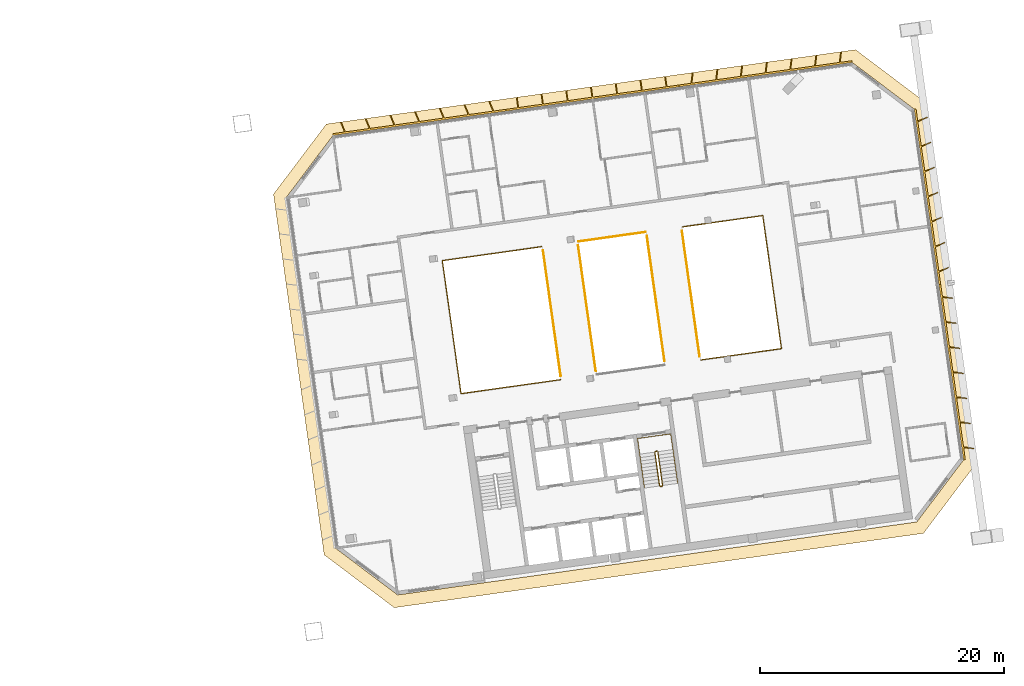
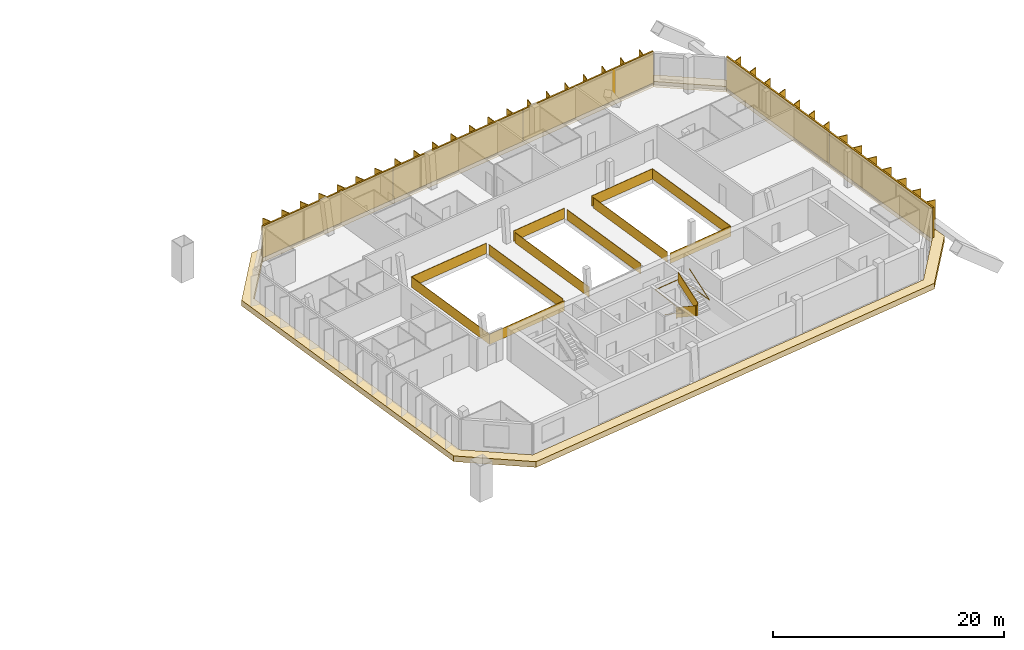
# One storey, part 26 of 26: 9 railings, 5 shading devices, 1 covering.
"""IFC4 building model written with IfcOpenShell, lengths in metres."""

import ifcopenshell
import ifcopenshell.guid

model = None  # the IFC model being written
_history = None  # IfcOwnerHistory: only IFC2X3 demands one
_inside = {}  # id of a spatial element -> (the spatial element, [elements in it])
_under = {}  # id of a project, library or spatial element -> (it, [spatial elements below it])
_declared = {}  # id of a project -> (the project, [libraries it declares])
_typed = {}  # id of a type object -> (the type object, [elements of that type])
_made_of = {}  # id of a material, layer set ... -> (it, [elements and type objects made of it])


def new_model(schema):
    """Start an empty IFC model of exactly this schema.

    Asked for "IFC4X3", IfcOpenShell would pick the latest addendum, in which some entities
    have other attributes; the version numbers below select the first issue.
    IFC2X3 requires an IfcOwnerHistory on every rooted entity: one is made here for all.
    """
    global model, _history
    if schema == "IFC4X3":
        model = ifcopenshell.file(schema_version=(4, 3, 0, 0))
    else:
        model = ifcopenshell.file(schema=schema)
    _inside.clear()
    _under.clear()
    _declared.clear()
    _typed.clear()
    _made_of.clear()
    _history = None
    if model.schema == "IFC2X3":
        org = make("IfcOrganization", Name="unknown")
        user = make(
            "IfcPersonAndOrganization",
            ThePerson=make("IfcPerson", FamilyName="unknown"),
            TheOrganization=org,
        )
        app = make(
            "IfcApplication",
            ApplicationDeveloper=org,
            Version="unknown",
            ApplicationFullName="unknown",
            ApplicationIdentifier="unknown",
        )
        _history = make(
            "IfcOwnerHistory",
            OwningUser=user,
            OwningApplication=app,
            ChangeAction="ADDED",
            CreationDate=0,
        )
    return model


def make(cls, **values):
    """One entity of the class cls with the attributes given. An attribute that is None is left unset."""
    return model.create_entity(
        cls, **{name: value for name, value in values.items() if value is not None}
    )


def rooted(cls, **values):
    """An entity with a GlobalId (a new one), such as an element, a storey or a relation."""
    return make(cls, GlobalId=ifcopenshell.guid.new(), OwnerHistory=_history, **values)


def si_unit(unit_type, name, prefix=None):
    """IfcSIUnit, for example si_unit("LENGTHUNIT", "METRE", prefix="MILLI")."""
    return make("IfcSIUnit", UnitType=unit_type, Prefix=prefix, Name=name)


def assignment(units):
    """IfcUnitAssignment: the units of a project."""
    return None if units is None else make("IfcUnitAssignment", Units=units)


def point(xyz):
    """IfcCartesianPoint."""
    return None if xyz is None else make("IfcCartesianPoint", Coordinates=xyz)


def direction(xyz):
    """IfcDirection."""
    return None if xyz is None else make("IfcDirection", DirectionRatios=xyz)


def frame(location, z_axis=None, x_axis=None):
    """IfcAxis2Placement3D, a coordinate frame: its origin and axes. An axis left out is left unset."""
    return make(
        "IfcAxis2Placement3D",
        Location=point(location),
        Axis=direction(z_axis),
        RefDirection=direction(x_axis),
    )


def frame_2d(location, x_axis=None):
    """IfcAxis2Placement2D, a coordinate frame in the plane: its origin and x axis."""
    return make(
        "IfcAxis2Placement2D", Location=point(location), RefDirection=direction(x_axis)
    )


def origin():
    """The frame at (0, 0, 0) with its axes left unset."""
    return frame((0.0, 0.0, 0.0))


def origin_2d():
    """The frame at (0, 0) in the plane with its x axis left unset."""
    return frame_2d((0.0, 0.0))


def place(relative_to, where):
    """IfcLocalPlacement: puts the frame where relative to a parent placement (None: the world)."""
    return make(
        "IfcLocalPlacement", PlacementRelTo=relative_to, RelativePlacement=where
    )


def context(
    kind, dimensions, precision=None, world=None, true_north=None, identifier=None
):
    """IfcGeometricRepresentationContext, for example the 3D "Model" context."""
    return make(
        "IfcGeometricRepresentationContext",
        ContextIdentifier=identifier,
        ContextType=kind,
        CoordinateSpaceDimension=dimensions,
        Precision=precision,
        WorldCoordinateSystem=world,
        TrueNorth=true_north,
    )


def subcontext(parent, identifier, kind, view, scale=None):
    """IfcGeometricRepresentationSubContext, for example "Body" below "Model"."""
    return make(
        "IfcGeometricRepresentationSubContext",
        ContextIdentifier=identifier,
        ContextType=kind,
        ParentContext=parent,
        TargetScale=scale,
        TargetView=view,
    )


def project(units=None, contexts=None):
    """IfcProject with its units and contexts."""
    return rooted(
        "IfcProject",
        Name="project",
        RepresentationContexts=contexts,
        UnitsInContext=assignment(units),
    )


def spatial(cls, under=None, at=None, **own):
    """A site, building, storey or space (cls), placed at a placement, below another one or the project."""
    s = rooted(cls, ObjectPlacement=at, **own)
    if under is not None:
        _under.setdefault(under.id(), (under, []))[1].append(s)
    return s


def polyline(points):
    """IfcPolyline through the points."""
    return make("IfcPolyline", Points=[point(p) for p in points])


def profile(cls, at=None, kind="AREA", **sizes):
    """A parametric profile (cls). Its sizes go by their IFC names, for example OverallWidth=200.0."""
    return make(cls, ProfileType=kind, Position=at, **sizes)


def rectangle(**sizes):
    """IfcRectangleProfileDef."""
    return profile("IfcRectangleProfileDef", **sizes)


def outline(outer, holes=None, kind="AREA"):
    """IfcArbitraryClosedProfileDef: a profile drawn as a closed curve; with holes, ...WithVoids."""
    if holes is None:
        return make("IfcArbitraryClosedProfileDef", ProfileType=kind, OuterCurve=outer)
    return make(
        "IfcArbitraryProfileDefWithVoids",
        ProfileType=kind,
        OuterCurve=outer,
        InnerCurves=holes,
    )


def extrude(swept, where, along, depth):
    """IfcExtrudedAreaSolid: the profile swept, set in the frame where, extruded along a direction by depth."""
    return make(
        "IfcExtrudedAreaSolid",
        SweptArea=swept,
        Position=where,
        ExtrudedDirection=direction(along),
        Depth=depth,
    )


def shape(context_of_items, identifier, shape_type, items):
    """IfcShapeRepresentation: the items that make up one representation, for example the "Body"."""
    return make(
        "IfcShapeRepresentation",
        ContextOfItems=context_of_items,
        RepresentationIdentifier=identifier,
        RepresentationType=shape_type,
        Items=items,
    )


def material(Name=None, Category=None):
    """IfcMaterial."""
    return make("IfcMaterial", Name=Name, Category=Category)


def layer(
    of_material, thickness, ventilated=None, Name=None, Category=None, Priority=None
):
    """IfcMaterialLayer: one layer of a wall or slab, of a material (None: an air gap)."""
    return make(
        "IfcMaterialLayer",
        Material=of_material,
        LayerThickness=thickness,
        IsVentilated=ventilated,
        Name=Name,
        Category=Category,
        Priority=Priority,
    )


def layer_set(layers, Name=None):
    """IfcMaterialLayerSet."""
    return make("IfcMaterialLayerSet", MaterialLayers=layers, LayerSetName=Name)


def made_of(thing, what):
    """Note that an element or type object is made of a material, layer set ...; save() writes the relation."""
    if what is not None:
        _made_of.setdefault(what.id(), (what, []))[1].append(thing)
    return thing


def type_object(cls, material=None, **own):
    """A type object (cls), such as IfcWallType, which elements share."""
    return made_of(rooted(cls, **own), material)


def element(
    cls,
    number,
    at=None,
    inside=None,
    cuts=None,
    type_object=None,
    material=None,
    context=None,
    identifier="Body",
    shape_type=None,
    held_by="IfcProductDefinitionShape",
    body=None,
    shapes=None,
    **own,
):
    """One element of the class cls, such as IfcWall. Its Tag is "e" and its number.

    at: its placement. inside: the storey or other place that contains it. cuts: it is an
    opening in that element (IfcRelVoidsElement). A single representation is given by context,
    identifier, shape_type and body (its items); several are given by shapes. held_by: the class
    of the entity that holds the representations. save() writes the other relations.
    """
    e = rooted(cls, Tag="e%d" % number, ObjectPlacement=at, **own)
    if body is not None:
        shapes = [shape(context, identifier, shape_type, body)]
    if shapes is not None:
        e.Representation = make(held_by, Representations=shapes)
    if inside is not None:
        _inside.setdefault(inside.id(), (inside, []))[1].append(e)
    if cuts is not None:
        rooted(
            "IfcRelVoidsElement", RelatingBuildingElement=cuts, RelatedOpeningElement=e
        )
    if type_object is not None:
        _typed.setdefault(type_object.id(), (type_object, []))[1].append(e)
    return made_of(e, material)


def aggregate(whole, parts):
    """IfcRelAggregates: a whole, such as a stair, and the parts it consists of."""
    return rooted("IfcRelAggregates", RelatingObject=whole, RelatedObjects=parts)


def save(model, path):
    """Write the relations noted so far, then the file.

    IfcRelAggregates (storeys below a building ...), IfcRelContainedInSpatialStructure (elements
    in a storey), IfcRelDefinesByType, IfcRelAssociatesMaterial and IfcRelDeclares: one each for
    every whole, place, type object, material and project.
    """
    for whole, parts in _under.values():
        aggregate(whole, parts)
    for where, things in _inside.values():
        rooted(
            "IfcRelContainedInSpatialStructure",
            RelatedElements=things,
            RelatingStructure=where,
        )
    for kind, things in _typed.values():
        rooted("IfcRelDefinesByType", RelatedObjects=things, RelatingType=kind)
    for what, things in _made_of.values():
        rooted("IfcRelAssociatesMaterial", RelatedObjects=things, RelatingMaterial=what)
    for by, libraries in _declared.values():
        rooted("IfcRelDeclares", RelatingContext=by, RelatedDefinitions=libraries)
    model.write(path)


model = new_model("IFC4")

# Units and contexts
model_context = context("Model", 3, precision=1e-05, world=origin(), true_north=direction((0.0, 1.0)))
body_context = subcontext(model_context, "Body", "Model", "MODEL_VIEW")
ifc_project = project(units=[si_unit("LENGTHUNIT", "METRE"), si_unit("AREAUNIT", "SQUARE_METRE"), si_unit("VOLUMEUNIT", "CUBIC_METRE"), si_unit("PLANEANGLEUNIT", "RADIAN"), si_unit("MASSUNIT", "GRAM", prefix="KILO")], contexts=[model_context])

# Site, building, storey
site_placement = place(None, origin())
site = spatial("IfcSite", under=ifc_project, at=site_placement, CompositionType="ELEMENT")
building_placement = place(site_placement, origin())
building = spatial("IfcBuilding", under=site, at=building_placement, Name="Mirante Cascada Hotel Towers", CompositionType="ELEMENT")
storey_placement = place(building_placement, frame((0.0, 0.0, 228.0)))
storey = spatial("IfcBuildingStorey", under=building, at=storey_placement, Name="L54", CompositionType="ELEMENT", Elevation=228.0)

# Railings
ifc_material_1 = material(Name="Toughened glass with stainless steel handrail", Category="steel")
railing_type_1 = type_object("IfcRailingType", Name="Atrium guard 1100 glass balustrade", PredefinedType="GUARDRAIL", material=ifc_material_1)
railing_1_placement = place(storey_placement, frame((42.0505, 7.3683, 0.0)))
element("IfcRailing", 1, at=railing_1_placement, inside=storey, type_object=railing_type_1, Name="GUARD 2-L54-1", PredefinedType="GUARDRAIL", context=body_context, shape_type="SweptSolid", body=[
    extrude(rectangle(XDim=0.048, YDim=0.048, at=origin_2d()), frame((0.0, 0.0, 1.076), z_axis=(-0.9902677, -0.1391758, 0.0), x_axis=(0.1391758, -0.9902677, 0.0)), (0.0, 0.0, 1.0), 8.2371),
    extrude(rectangle(XDim=0.02, YDim=1.052, at=origin_2d()), frame((0.0, 0.0, 0.526), z_axis=(-0.9902677, -0.1391758, 0.0), x_axis=(0.1391758, -0.9902677, 0.0)), (0.0, 0.0, 1.0), 8.2371),
    extrude(rectangle(XDim=0.048, YDim=0.048, at=origin_2d()), frame((-8.1569, -1.1464, 1.076), z_axis=(0.1391733, -0.990268, 0.0), x_axis=(0.990268, 0.1391733, 0.0)), (0.0, 0.0, 1.0), 11.0),
    extrude(rectangle(XDim=0.02, YDim=1.052, at=origin_2d()), frame((-8.1569, -1.1464, 0.526), z_axis=(0.1391733, -0.990268, 0.0), x_axis=(0.990268, 0.1391733, 0.0)), (0.0, 0.0, 1.0), 11.0),
    extrude(rectangle(XDim=0.048, YDim=0.048, at=origin_2d()), frame((-6.626, -12.0393, 1.076), z_axis=(0.9902694, 0.1391639, 0.0), x_axis=(-0.1391639, 0.9902694, 0.0)), (0.0, 0.0, 1.0), 8.2371),
    extrude(rectangle(XDim=0.02, YDim=1.052, at=origin_2d()), frame((-6.626, -12.0393, 0.526), z_axis=(0.9902694, 0.1391639, 0.0), x_axis=(-0.1391639, 0.9902694, 0.0)), (0.0, 0.0, 1.0), 8.2371),
])
railing_2_placement = place(storey_placement, frame((50.5546, 8.5634, 0.0)))
element("IfcRailing", 2, at=railing_2_placement, inside=storey, type_object=railing_type_1, Name="GUARD 2-L54-3", PredefinedType="GUARDRAIL", context=body_context, shape_type="SweptSolid", body=[
    extrude(rectangle(XDim=0.048, YDim=0.048, at=origin_2d()), frame((0.0, 0.0, 1.076), z_axis=(-0.9902694, -0.1391635, 0.0), x_axis=(0.1391635, -0.9902694, 0.0)), (0.0, 0.0, 1.0), 5.5877),
    extrude(rectangle(XDim=0.02, YDim=1.052, at=origin_2d()), frame((0.0, 0.0, 0.526), z_axis=(-0.9902694, -0.1391635, 0.0), x_axis=(0.1391635, -0.9902694, 0.0)), (0.0, 0.0, 1.0), 5.5877),
])
railing_3_placement = place(storey_placement, frame((55.0563, -1.912, 0.0)))
element("IfcRailing", 3, at=railing_3_placement, inside=storey, type_object=railing_type_1, Name="GUARD 2-L54-4", PredefinedType="GUARDRAIL", context=body_context, shape_type="SweptSolid", body=[
    extrude(rectangle(XDim=0.048, YDim=0.048, at=origin_2d()), frame((0.0, 0.0, 1.076), z_axis=(0.9902684, 0.1391706, 0.0), x_axis=(-0.1391706, 0.9902684, 0.0)), (0.0, 0.0, 1.0), 6.6753),
    extrude(rectangle(XDim=0.02, YDim=1.052, at=origin_2d()), frame((0.0, 0.0, 0.526), z_axis=(0.9902684, 0.1391706, 0.0), x_axis=(-0.1391706, 0.9902684, 0.0)), (0.0, 0.0, 1.0), 6.6753),
    extrude(rectangle(XDim=0.048, YDim=0.048, at=origin_2d()), frame((6.6103, 0.929, 1.076), z_axis=(-0.1391721, 0.9902682, 0.0), x_axis=(-0.9902682, -0.1391721, 0.0)), (0.0, 0.0, 1.0), 11.0001),
    extrude(rectangle(XDim=0.02, YDim=1.052, at=origin_2d()), frame((6.6103, 0.929, 0.526), z_axis=(-0.1391721, 0.9902682, 0.0), x_axis=(-0.9902682, -0.1391721, 0.0)), (0.0, 0.0, 1.0), 11.0001),
    extrude(rectangle(XDim=0.048, YDim=0.048, at=origin_2d()), frame((5.0794, 11.822, 1.076), z_axis=(-0.9902684, -0.1391706, 0.0), x_axis=(0.1391706, -0.9902684, 0.0)), (0.0, 0.0, 1.0), 6.6753),
    extrude(rectangle(XDim=0.02, YDim=1.052, at=origin_2d()), frame((5.0794, 11.822, 0.526), z_axis=(-0.9902684, -0.1391706, 0.0), x_axis=(0.1391706, -0.9902684, 0.0)), (0.0, 0.0, 1.0), 6.6753),
])
railing_4_placement = place(storey_placement, frame((43.5888, -3.2251, 0.0)))
element("IfcRailing", 4, at=railing_4_placement, inside=storey, type_object=railing_type_1, Name="GUARD 2-L54-5", PredefinedType="GUARDRAIL", context=body_context, shape_type="SweptSolid", body=[
    extrude(rectangle(XDim=0.048, YDim=0.048, at=origin_2d()), frame((0.0, 0.0, 1.076), z_axis=(-0.1391721, 0.9902682, 0.0), x_axis=(-0.9902682, -0.1391721, 0.0)), (0.0, 0.0, 1.0), 10.4087),
    extrude(rectangle(XDim=0.02, YDim=1.052, at=origin_2d()), frame((0.0, 0.0, 0.526), z_axis=(-0.1391721, 0.9902682, 0.0), x_axis=(-0.9902682, -0.1391721, 0.0)), (0.0, 0.0, 1.0), 10.4087),
])
railing_5_placement = place(storey_placement, frame((45.0139, 7.4862, 0.0)))
element("IfcRailing", 5, at=railing_5_placement, inside=storey, type_object=railing_type_1, Name="GUARD 2-L54-6", PredefinedType="GUARDRAIL", context=body_context, shape_type="SweptSolid", body=[
    extrude(rectangle(XDim=0.048, YDim=0.048, at=origin_2d()), frame((0.0, 0.0, 1.076), z_axis=(0.1391721, -0.9902682, 0.0), x_axis=(0.9902682, 0.1391721, 0.0)), (0.0, 0.0, 1.0), 10.4087),
    extrude(rectangle(XDim=0.02, YDim=1.052, at=origin_2d()), frame((0.0, 0.0, 0.526), z_axis=(0.1391721, -0.9902682, 0.0), x_axis=(0.9902682, 0.1391721, 0.0)), (0.0, 0.0, 1.0), 10.4087),
])
railing_6_placement = place(storey_placement, frame((52.0929, -2.0299, 0.0)))
element("IfcRailing", 6, at=railing_6_placement, inside=storey, type_object=railing_type_1, Name="GUARD 2-L54-7", PredefinedType="GUARDRAIL", context=body_context, shape_type="SweptSolid", body=[
    extrude(rectangle(XDim=0.048, YDim=0.048, at=origin_2d()), frame((0.0, 0.0, 1.076), z_axis=(-0.1391721, 0.9902682, 0.0), x_axis=(-0.9902682, -0.1391721, 0.0)), (0.0, 0.0, 1.0), 10.4087),
    extrude(rectangle(XDim=0.02, YDim=1.052, at=origin_2d()), frame((0.0, 0.0, 0.526), z_axis=(-0.1391721, 0.9902682, 0.0), x_axis=(-0.9902682, -0.1391721, 0.0)), (0.0, 0.0, 1.0), 10.4087),
])
railing_7_placement = place(storey_placement, frame((53.518, 8.6814, 0.0)))
element("IfcRailing", 7, at=railing_7_placement, inside=storey, type_object=railing_type_1, Name="GUARD 2-L54-8", PredefinedType="GUARDRAIL", context=body_context, shape_type="SweptSolid", body=[
    extrude(rectangle(XDim=0.048, YDim=0.048, at=origin_2d()), frame((0.0, 0.0, 1.076), z_axis=(0.1391721, -0.9902682, 0.0), x_axis=(0.9902682, 0.1391721, 0.0)), (0.0, 0.0, 1.0), 10.4087),
    extrude(rectangle(XDim=0.02, YDim=1.052, at=origin_2d()), frame((0.0, 0.0, 0.526), z_axis=(0.1391721, -0.9902682, 0.0), x_axis=(0.9902682, 0.1391721, 0.0)), (0.0, 0.0, 1.0), 10.4087),
])

# Covering
ifc_material_2 = material(Name="Precast concrete C40/50 white", Category="concrete")
ifc_layer = layer(ifc_material_2, 0.6)
ifc_layer_set = layer_set([ifc_layer], Name="Precast concrete SUNSHADE band 1000x600")
covering_type = type_object("IfcCoveringType", Name="Precast concrete SUNSHADE band 1000x600", PredefinedType="CLADDING", material=ifc_layer_set)
covering_placement = place(storey_placement, frame((0.0, 0.0, -0.45)))
element("IfcCovering", 8, at=covering_placement, inside=storey, type_object=covering_type, Name="Precast concrete SUNSHADE band T2 L54", PredefinedType="CLADDING", context=body_context, shape_type="SweptSolid", body=[
    extrude(outline(polyline([(20.0633, 11.6643), (24.3918, 17.4084), (67.7326, 23.4995), (73.4767, 19.171), (75.1534, 7.2405), (75.1308, 7.2272), (75.1019, 7.206), (75.0752, 7.1822), (75.0509, 7.1558), (75.0294, 7.1272), (75.0108, 7.0966), (74.9953, 7.0643), (74.983, 7.0306), (74.974, 6.9959), (74.9685, 6.9606), (74.9665, 6.9248), (74.9681, 6.889), (75.0739, 5.7349), (75.0789, 5.6994), (75.0874, 5.6646), (75.0993, 5.6308), (75.1143, 5.5984), (75.1326, 5.5675), (75.1537, 5.5386), (75.1776, 5.5119), (75.204, 5.4877), (75.2326, 5.4661), (75.2632, 5.4475), (75.2955, 5.432), (75.3291, 5.4197), (75.3638, 5.4108), (75.3992, 5.4053), (75.4114, 5.4046), (75.6932, 3.3993), (75.6817, 3.3953), (75.6492, 3.3803), (75.6183, 3.3621), (75.5893, 3.341), (75.5626, 3.3172), (75.5383, 3.2909), (75.5167, 3.2623), (75.498, 3.2317), (75.4824, 3.1995), (75.4701, 3.1659), (75.4611, 3.1312), (75.4555, 3.0958), (75.4535, 3.06), (75.4549, 3.0243), (75.4599, 2.9888), (75.6762, 1.8502), (75.6846, 1.8154), (75.6964, 1.7816), (75.7114, 1.7491), (75.7296, 1.7182), (75.7507, 1.6892), (75.7745, 1.6625), (75.8008, 1.6382), (75.8294, 1.6166), (75.86, 1.5979), (75.8922, 1.5823), (75.9258, 1.57), (75.9513, 1.5634), (77.628, -10.3671), (73.2995, -16.1112), (29.9587, -22.2024), (24.2146, -17.8739), (20.0633, 11.6643)]), holes=[polyline([(76.5801, -10.0961), (72.5441, 18.6217), (67.4616, 22.4516), (24.9412, 16.4758), (21.1112, 11.3933), (25.1473, -17.3245), (30.2297, -21.1544), (72.7501, -15.1786), (76.5801, -10.0961)])]), origin(), (0.0, 0.0, 1.0), 0.6),
])

# Railings
ifc_material_3 = material(Name="Painted steel", Category="steel")
railing_type_2 = type_object("IfcRailingType", Name="Stair guard 1100 steel balustrade", PredefinedType="GUARDRAIL", material=ifc_material_3)
railing_8_placement = place(storey_placement, frame((51.4864, -9.3815, 0.0)))
element("IfcRailing", 9, at=railing_8_placement, inside=storey, type_object=railing_type_2, Name="L54 ST2-B stair guard 1", PredefinedType="GUARDRAIL", context=body_context, shape_type="SweptSolid", body=[
    extrude(rectangle(XDim=0.048, YDim=0.048, at=origin_2d()), frame((0.0, 0.0, 1.076), z_axis=(-0.9902408, -0.1393672, 0.0), x_axis=(0.1393672, -0.9902408, 0.0)), (0.0, 0.0, 1.0), 0.15),
    extrude(rectangle(XDim=0.02, YDim=1.052, at=origin_2d()), frame((0.0, 0.0, 0.526), z_axis=(-0.9902408, -0.1393672, 0.0), x_axis=(0.1393672, -0.9902408, 0.0)), (0.0, 0.0, 1.0), 0.15),
    extrude(rectangle(XDim=0.048, YDim=0.048, at=origin_2d()), frame((-0.1485, -0.0209, 1.076), z_axis=(-0.6020331, -0.7984711, 0.0), x_axis=(0.7984711, -0.6020331, 0.0)), (0.0, 0.9253398, 0.3791387), 0.1866),
    extrude(rectangle(XDim=0.02, YDim=1.052, at=origin_2d()), frame((-0.1485, -0.0209, 0.526), z_axis=(-0.6020331, -0.7984711, 0.0), x_axis=(0.7984711, -0.6020331, 0.0)), (0.0, 0.9253398, 0.3791387), 0.1866),
    extrude(rectangle(XDim=0.048, YDim=0.048, at=origin_2d()), frame((-0.1911, -0.0774, 1.2487), z_axis=(0.139181, -0.990267, 0.0), x_axis=(0.990267, 0.139181, 0.0)), (0.0, 0.5250347, 0.8510808), 3.2899),
    extrude(rectangle(XDim=0.02, YDim=1.052, at=origin_2d()), frame((-0.1911, -0.0774, 0.6987), z_axis=(0.139181, -0.990267, 0.0), x_axis=(0.990267, 0.139181, 0.0)), (0.0, 0.5250347, 0.8510808), 3.2899),
    extrude(rectangle(XDim=0.048, YDim=0.048, at=origin_2d()), frame((0.1986, -2.8501, 2.976), z_axis=(0.9944441, -0.1052656, 0.0), x_axis=(0.1052656, 0.9944441, 0.0)), (0.0, 0.0, 1.0), 0.2061),
    extrude(rectangle(XDim=0.02, YDim=1.052, at=origin_2d()), frame((0.1986, -2.8501, 2.426), z_axis=(0.9944441, -0.1052656, 0.0), x_axis=(0.1052656, 0.9944441, 0.0)), (0.0, 0.0, 1.0), 0.2061),
    extrude(rectangle(XDim=0.048, YDim=0.048, at=origin_2d()), frame((0.4036, -2.8718, 2.976), z_axis=(-0.9902408, -0.1393672, 0.0), x_axis=(0.1393672, -0.9902408, 0.0)), (0.0, 0.0, 1.0), 0.15),
    extrude(rectangle(XDim=0.02, YDim=1.052, at=origin_2d()), frame((0.4036, -2.8718, 2.426), z_axis=(-0.9902408, -0.1393672, 0.0), x_axis=(0.1393672, -0.9902408, 0.0)), (0.0, 0.0, 1.0), 0.15),
    extrude(rectangle(XDim=0.048, YDim=0.048, at=origin_2d()), frame((0.2551, -2.8927, 2.976), z_axis=(0.9268624, 0.3754011, 0.0), x_axis=(-0.3754011, 0.9268624, 0.0)), (0.0, 0.6421217, 0.7666028), 0.269),
    extrude(rectangle(XDim=0.02, YDim=1.052, at=origin_2d()), frame((0.2551, -2.8927, 2.426), z_axis=(0.9268624, 0.3754011, 0.0), x_axis=(-0.3754011, 0.9268624, 0.0)), (0.0, 0.6421217, 0.7666028), 0.269),
    extrude(rectangle(XDim=0.048, YDim=0.048, at=origin_2d()), frame((0.4462, -2.8153, 3.1487), z_axis=(-0.139181, 0.990267, 0.0), x_axis=(-0.990267, -0.139181, 0.0)), (0.0, 0.5250347, 0.8510808), 3.2899),
    extrude(rectangle(XDim=0.02, YDim=1.052, at=origin_2d()), frame((0.4462, -2.8153, 2.5987), z_axis=(-0.139181, 0.990267, 0.0), x_axis=(-0.990267, -0.139181, 0.0)), (0.0, 0.5250347, 0.8510808), 3.2899),
])
ifc_material_4 = material(Name="Painted steel", Category="steel")
railing_type_3 = type_object("IfcRailingType", Name="Stair handrail 900 steel tube", PredefinedType="HANDRAIL", material=ifc_material_4)
railing_9_placement = place(storey_placement, frame((50.0575, -9.6328, 0.1727)))
element("IfcRailing", 10, at=railing_9_placement, inside=storey, type_object=railing_type_3, Name="L54 ST2-B stair handrail 1", PredefinedType="HANDRAIL", context=body_context, shape_type="SweptSolid", body=[
    extrude(rectangle(XDim=0.048, YDim=0.048, at=origin_2d()), frame((0.0, 0.0, 0.876), z_axis=(0.139176, -0.9902677, 0.0), x_axis=(0.9902677, 0.139176, 0.0)), (0.0, 0.5250212, 0.8510891), 3.29),
    extrude(rectangle(XDim=0.048, YDim=0.048, at=origin_2d()), frame((0.3897, -2.7728, 2.6033), z_axis=(-0.1391707, 0.9902684, 0.0), x_axis=(-0.9902684, -0.1391707, 0.0)), (0.0, 0.0420846, 0.999114), 4.1036),
    extrude(rectangle(XDim=0.048, YDim=0.048, at=origin_2d()), frame((-0.1809, 1.2873, 2.776), z_axis=(0.9902641, 0.1392013, 0.0), x_axis=(-0.1392013, 0.9902641, 0.0)), (0.0, 0.0, 1.0), 2.75),
    extrude(rectangle(XDim=0.048, YDim=0.048, at=origin_2d()), frame((2.5423, 1.6701, 2.776), z_axis=(0.1391707, -0.9902684, 0.0), x_axis=(0.9902684, 0.1391707, 0.0)), (0.0, 0.0, 1.0), 4.1),
    extrude(rectangle(XDim=0.048, YDim=0.048, at=origin_2d()), frame((3.1129, -2.39, 2.776), z_axis=(-0.139181, 0.990267, 0.0), x_axis=(-0.990267, -0.139181, 0.0)), (0.0, 0.5250347, 0.8510808), 3.2899),
])

# Shading devices
ifc_material_5 = material(Name="White precast concrete C50/60 fin", Category="concrete")
shading_device_type = type_object("IfcShadingDeviceType", Name="Vertical fin set 4500x900", PredefinedType="USERDEFINED", material=ifc_material_5)
shading_device_1_placement = place(storey_placement, origin())
element("IfcShadingDevice", 11, at=shading_device_1_placement, inside=storey, type_object=shading_device_type, Name="FIN T2 L54 front 1", ObjectType="FIN", PredefinedType="USERDEFINED", context=body_context, shape_type="SweptSolid", body=[
    extrude(outline(polyline([(54.436, 21.5894), (54.3339, 20.7581), (56.2767, 21.0311), (56.3813, 21.8837), (56.4607, 21.8739), (56.3587, 21.0427), (58.3014, 21.3157), (58.4061, 22.1683), (58.4855, 22.1585), (58.3835, 21.3272), (60.3262, 21.6003), (60.4309, 22.4528), (60.5103, 22.4431), (60.4082, 21.6118), (62.351, 21.8848), (62.4557, 22.7374), (62.5351, 22.7276), (62.433, 21.8964), (64.3758, 22.1694), (64.4805, 23.022), (64.5599, 23.0122), (64.4578, 22.1809), (66.4006, 22.454), (66.5052, 23.3065), (66.5846, 23.2968), (66.4826, 22.4655), (67.4407, 22.6001), (67.4616, 22.4516), (53.2881, 20.4597), (53.2672, 20.6082), (54.2519, 20.7466), (54.3566, 21.5991), (54.436, 21.5894)])), origin(), (0.0, 0.0, 1.0), 3.35),
])
shading_device_2_placement = place(storey_placement, origin())
element("IfcShadingDevice", 12, at=shading_device_2_placement, inside=storey, type_object=shading_device_type, Name="FIN T2 L54 front 2", ObjectType="FIN", PredefinedType="USERDEFINED", context=body_context, shape_type="SweptSolid", body=[
    extrude(outline(polyline([(40.0275, 19.6058), (40.1458, 18.7641), (42.0913, 19.0375), (41.973, 19.8792), (42.0522, 19.8904), (42.1705, 19.0487), (44.1161, 19.3221), (43.9978, 20.1638), (44.077, 20.1749), (44.1953, 19.3332), (46.1409, 19.6067), (46.0226, 20.4484), (46.1018, 20.4595), (46.2201, 19.6178), (48.1657, 19.8912), (48.0474, 20.7329), (48.1266, 20.7441), (48.2449, 19.9023), (50.1904, 20.1758), (50.0721, 21.0175), (50.1514, 21.0286), (50.2697, 20.1869), (52.2152, 20.4603), (52.0969, 21.3021), (52.1761, 21.3132), (52.2944, 20.4715), (53.2672, 20.6082), (53.2881, 20.4597), (39.1146, 18.4677), (39.0938, 18.6162), (40.0665, 18.753), (39.9482, 19.5947), (40.0275, 19.6058)])), origin(), (0.0, 0.0, 1.0), 3.35),
])
shading_device_3_placement = place(storey_placement, origin())
element("IfcShadingDevice", 13, at=shading_device_3_placement, inside=storey, type_object=shading_device_type, Name="FIN T2 L54 front 3", ObjectType="FIN", PredefinedType="USERDEFINED", context=body_context, shape_type="SweptSolid", body=[
    extrude(outline(polyline([(25.6248, 17.5611), (25.9604, 16.7705), (27.9032, 17.0435), (27.5759, 17.8144), (27.6496, 17.8457), (27.9852, 17.055), (29.928, 17.3281), (29.6007, 18.099), (29.6744, 18.1303), (30.01, 17.3396), (31.9527, 17.6126), (31.6255, 18.3836), (31.6991, 18.4148), (32.0348, 17.6242), (33.9775, 17.8972), (33.6503, 18.6681), (33.7239, 18.6994), (34.0595, 17.9087), (36.0023, 18.1818), (35.6751, 18.9527), (35.7487, 18.984), (36.0843, 18.1933), (38.0271, 18.4663), (37.6998, 19.2373), (37.7735, 19.2685), (38.1091, 18.4779), (39.0938, 18.6162), (39.1146, 18.4677), (24.9412, 16.4758), (24.9203, 16.6243), (25.8784, 16.7589), (25.5512, 17.5299), (25.6248, 17.5611)])), origin(), (0.0, 0.0, 1.0), 3.35),
])
shading_device_4_placement = place(storey_placement, origin())
element("IfcShadingDevice", 14, at=shading_device_4_placement, inside=storey, type_object=shading_device_type, Name="FIN T2 L54 outer 1", ObjectType="FIN", PredefinedType="USERDEFINED", context=body_context, shape_type="SweptSolid", body=[
    extrude(outline(polyline([(77.4234, -9.2059), (76.5921, -9.1039), (76.7286, -10.0752), (76.5801, -10.0961), (74.5621, 4.2628), (74.7106, 4.2837), (74.8508, 3.2858), (75.7034, 3.1811), (75.6937, 3.1017), (74.8624, 3.2038), (75.1391, 1.2345), (75.9917, 1.1298), (75.9819, 1.0504), (75.1507, 1.1525), (75.4274, -0.8168), (76.28, -0.9214), (76.2702, -1.0009), (75.4389, -0.8988), (75.7157, -2.868), (76.5683, -2.9727), (76.5585, -3.0521), (75.7272, -2.9501), (76.004, -4.9193), (76.8565, -5.024), (76.8468, -5.1034), (76.0155, -5.0013), (76.2923, -6.9706), (77.1448, -7.0753), (77.1351, -7.1547), (76.3038, -7.0526), (76.5806, -9.0218), (77.4331, -9.1265), (77.4234, -9.2059)])), origin(), (0.0, 0.0, 1.0), 3.35),
])
shading_device_5_placement = place(storey_placement, origin())
element("IfcShadingDevice", 15, at=shading_device_5_placement, inside=storey, type_object=shading_device_type, Name="FIN T2 L54 outer 2", ObjectType="FIN", PredefinedType="USERDEFINED", context=body_context, shape_type="SweptSolid", body=[
    extrude(outline(polyline([(75.361, 5.6172), (74.5704, 5.2816), (74.7106, 4.2837), (74.5621, 4.2628), (72.5441, 18.6217), (72.6926, 18.6426), (72.8291, 17.6712), (73.6, 17.9984), (73.6313, 17.9248), (72.8406, 17.5892), (73.1174, 15.6199), (73.8883, 15.9472), (73.9196, 15.8735), (73.1289, 15.5379), (73.4057, 13.5687), (74.1766, 13.8959), (74.2079, 13.8223), (73.4172, 13.4866), (73.694, 11.5174), (74.4649, 11.8446), (74.4962, 11.771), (73.7055, 11.4354), (73.9823, 9.4661), (74.7532, 9.7934), (74.7845, 9.7197), (73.9938, 9.3841), (74.2705, 7.4148), (75.0415, 7.7421), (75.0727, 7.6684), (74.2821, 7.3328), (74.5588, 5.3636), (75.3298, 5.6908), (75.361, 5.6172)])), origin(), (0.0, 0.0, 1.0), 3.35),
])

save(model, "model.ifc")
